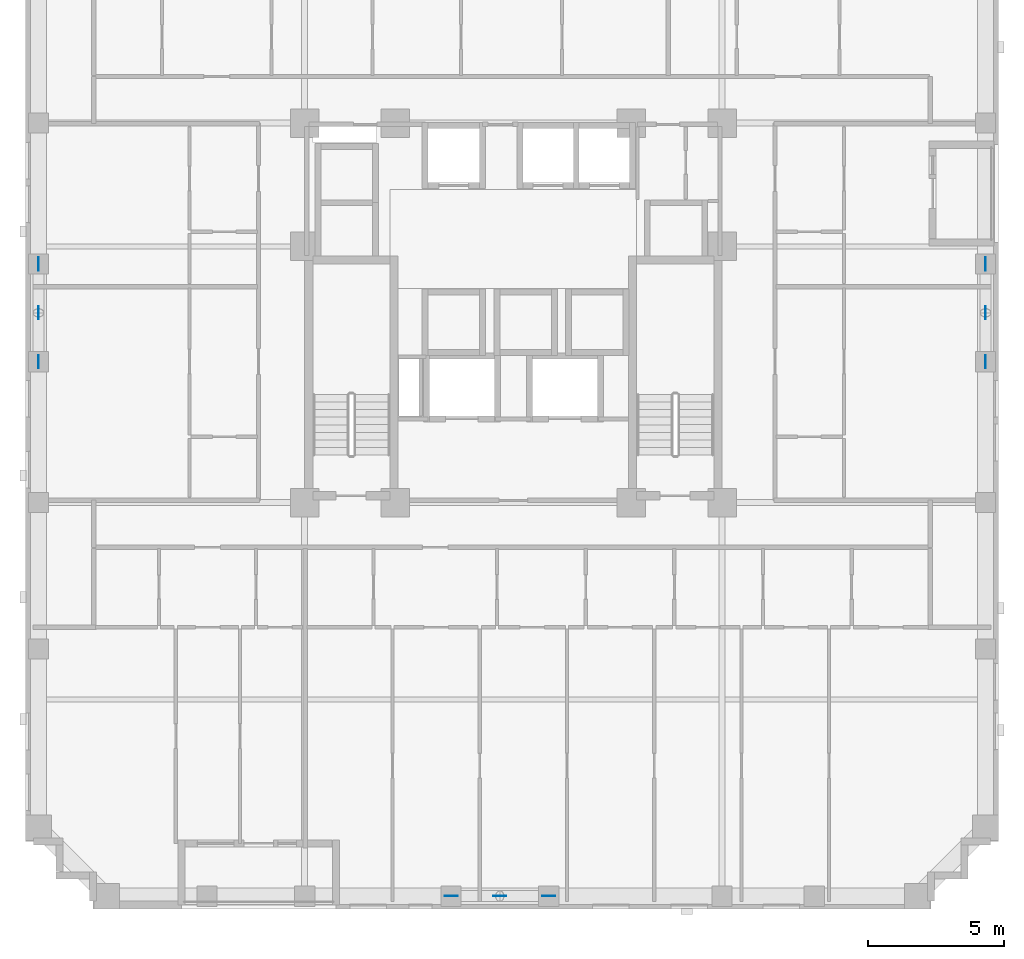
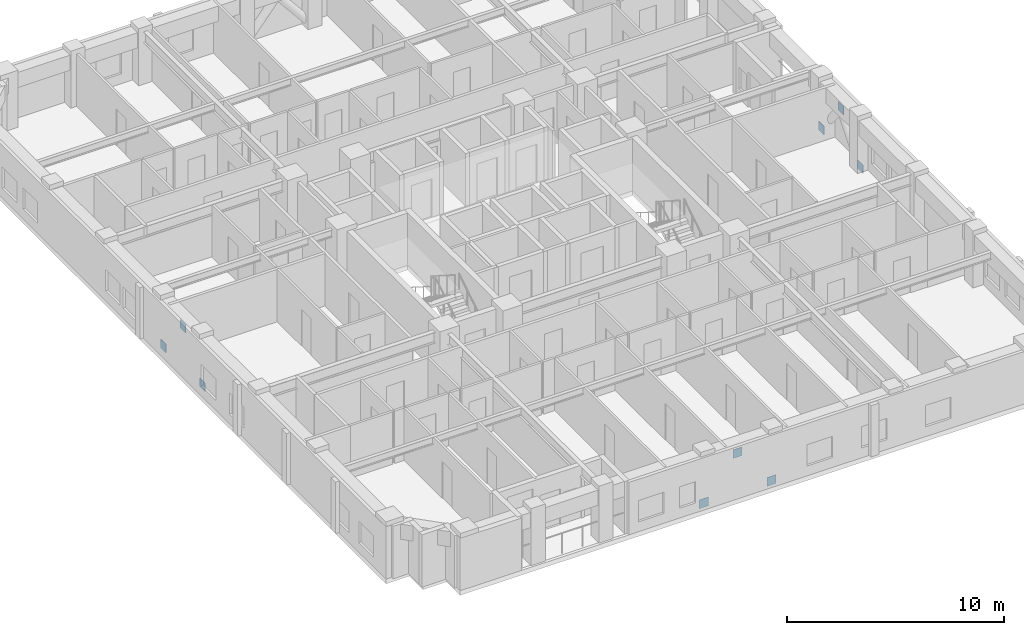
# One storey, part 9 of 12: 9 discrete accessories.
"""IFC4 building model written with IfcOpenShell, lengths in metres."""

from ifc_helpers import new_model, si_unit, derived_unit, direction, frame, origin, origin_2d, place, context, subcontext, project, spatial, rectangle, extrude, material, layer, layer_set, type_object, element, save


model = new_model("IFC4")

# Units and contexts
model_context = context("Model", 3, precision=1e-05, world=origin(), true_north=direction((0.0, 1.0)))
body_context = subcontext(model_context, "Body", "Model", "MODEL_VIEW")
ifc_project = project(units=[si_unit("LENGTHUNIT", "METRE"), si_unit("AREAUNIT", "SQUARE_METRE"), si_unit("VOLUMEUNIT", "CUBIC_METRE"), si_unit("PLANEANGLEUNIT", "RADIAN"), si_unit("MASSUNIT", "GRAM", prefix="KILO"), derived_unit("THERMALTRANSMITTANCEUNIT", [(si_unit("MASSUNIT", "GRAM", prefix="KILO"), 1), (si_unit("TIMEUNIT", "SECOND"), -3), (si_unit("THERMODYNAMICTEMPERATUREUNIT", "KELVIN"), -1)])], contexts=[model_context])

# Site, building, storey
site_placement = place(None, origin())
site = spatial("IfcSite", under=ifc_project, at=site_placement, CompositionType="ELEMENT")
building_placement = place(site_placement, origin())
building = spatial("IfcBuilding", under=site, at=building_placement, Name="Korrvale Station Residences", CompositionType="ELEMENT")
storey_placement = place(building_placement, frame((0.0, 0.0, 113.5)))
storey = spatial("IfcBuildingStorey", under=building, at=storey_placement, Name="L32", CompositionType="ELEMENT", Elevation=113.5)

# Discrete accessories
ifc_material = material(Name="Steel S355", Category="steel")
ifc_layer = layer(ifc_material, 0.02490234375, Name="Steel S355")
ifc_layer_set = layer_set([ifc_layer], Name="Steel S355")
discrete_accessory_type = type_object("IfcDiscreteAccessoryType", Name="ACC-GUSSET-25", PredefinedType="BRACKET", material=ifc_layer_set)
for number, where, z_axis, x_axis, name in (
    (1, (23.199951171875, 0.47998046875, -0.219970703125), (0.0, 0.0, 1.0), (1.0, 0.0, 0.0), "L32 S Brace End Gusset Connection A"),
    (2, (26.800048828125, 0.47998046875, -0.219970703125), (0.0, 0.0, 1.0), (1.0, 0.0, 0.0), "L32 S Brace End Gusset Connection B"),
    (3, (25.0, 0.47998046875, 1.969970703125), (0.0, 0.0, 1.0), (1.0, 0.0, 0.0), "L32 S Brace End Gusset Connection M"),
    (4, (7.97998046875, 20.199951171875, -0.219970703125), (0.0, 0.0, 1.0), (0.0, 1.0, 0.0), "L32 W Brace End Gusset Connection A"),
    (5, (7.97998046875, 23.800048828125, -0.219970703125), (0.0, 0.0, 1.0), (0.0, 1.0, 0.0), "L32 W Brace End Gusset Connection B"),
    (6, (7.97998046875, 22.0, 1.969970703125), (0.0, 0.0, 1.0), (0.0, 1.0, 0.0), "L32 W Brace End Gusset Connection M"),
    (7, (42.919921875, 20.199951171875, -0.219970703125), (0.0, 0.0, 1.0), (0.0, 1.0, 0.0), "L32 E Brace End Gusset Connection A"),
    (8, (42.919921875, 23.800048828125, -0.219970703125), (0.0, 0.0, 1.0), (0.0, 1.0, 0.0), "L32 E Brace End Gusset Connection B"),
    (9, (42.919921875, 22.0, 1.969970703125), (0.0, 0.0, 1.0), (0.0, 1.0, 0.0), "L32 E Brace End Gusset Connection M"),
):
    element("IfcDiscreteAccessory", number, at=place(storey_placement, frame(where, z_axis=z_axis, x_axis=x_axis)), inside=storey, type_object=discrete_accessory_type, Name=name, PredefinedType="BRACKET", context=body_context, shape_type="SweptSolid", body=[
        extrude(rectangle(XDim=0.47998046875, YDim=0.02490234375, at=origin_2d()), origin(), (0.0, 0.0, 1.0), 0.47998046875),
    ])

save(model, "model.ifc")
